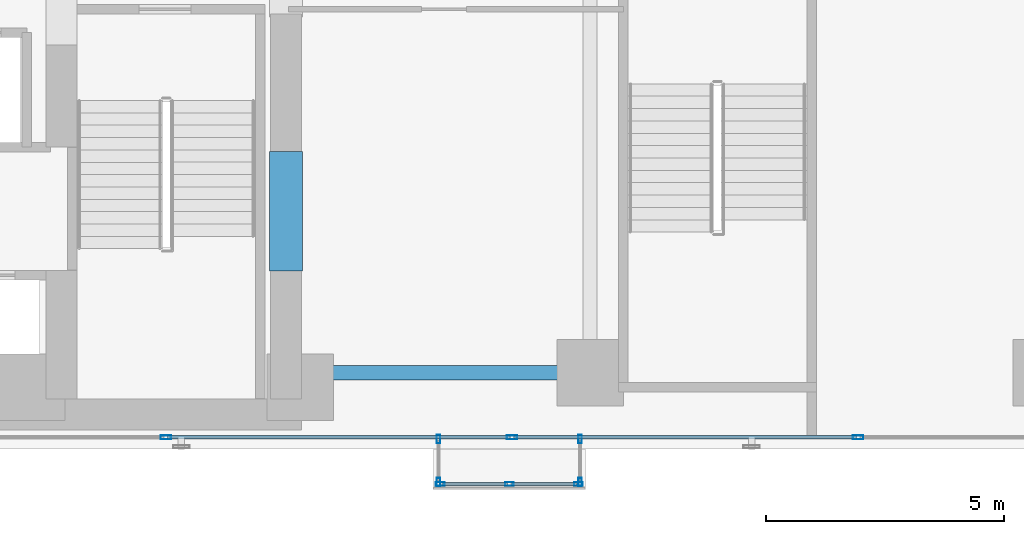
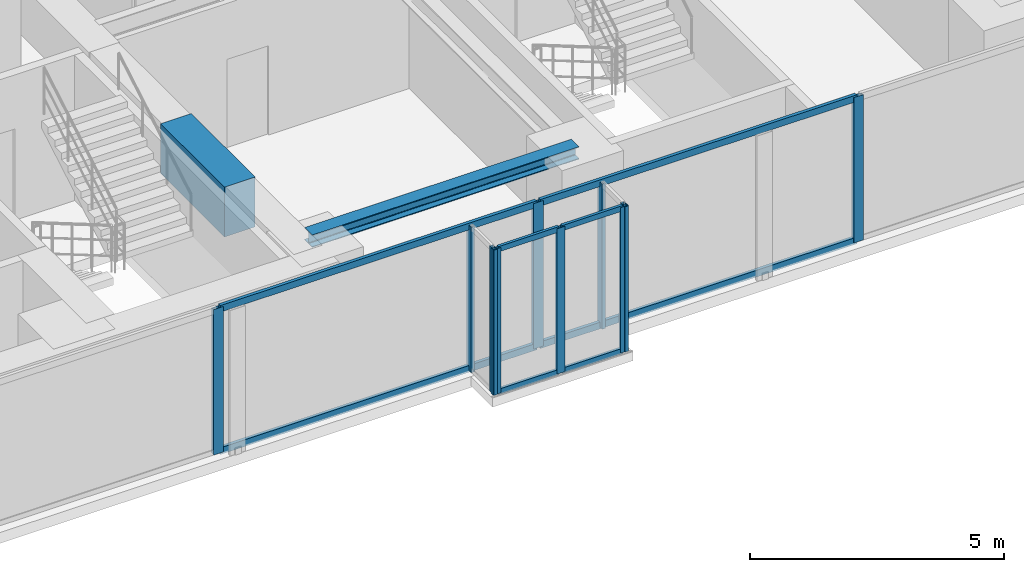
# One storey, part 4 of 25: 18 members, 2 beams, 4 elements without a shape of their own.
"""IFC4 building model written with IfcOpenShell, lengths in metres."""

from ifc_helpers import new_model, si_unit, direction, frame, origin, origin_with_axes, origin_2d, place, context, subcontext, project, spatial, rectangle, hollow_rectangle, i_section, extrude, source, transform, mapped, material, layer, layer_set, material_profile, profile_set, type_object, element, aggregate, save


model = new_model("IFC4")

# Units and contexts
model_context = context("Model", 3, precision=1e-05, world=origin(), true_north=direction((0.0, 1.0)))
body_context = subcontext(model_context, "Body", "Model", "MODEL_VIEW")
ifc_project = project(units=[si_unit("LENGTHUNIT", "METRE"), si_unit("AREAUNIT", "SQUARE_METRE"), si_unit("VOLUMEUNIT", "CUBIC_METRE"), si_unit("PLANEANGLEUNIT", "RADIAN"), si_unit("MASSUNIT", "GRAM", prefix="KILO")], contexts=[model_context])

# Site, building, storey
site_placement = place(None, origin())
site = spatial("IfcSite", under=ifc_project, at=site_placement, CompositionType="ELEMENT")
building_placement = place(site_placement, origin())
building = spatial("IfcBuilding", under=site, at=building_placement, Name="Kolvaren Waterfront Exchange", CompositionType="ELEMENT")
storey_placement = place(building_placement, frame((0.0, 0.0, 106.89990234375)))
storey = spatial("IfcBuildingStorey", under=building, at=storey_placement, Name="L27", CompositionType="ELEMENT", Elevation=106.89990234375)

# Beams
ifc_material_1 = material(Name="Steel S355", Category="steel")
ifc_material_profile_1 = material_profile(ifc_material_1, i_section(OverallWidth=0.300048828125, OverallDepth=0.300048828125, WebThickness=0.010986328125, FlangeThickness=0.01904296875, FilletRadius=0.027099609375, at=origin_2d()), Name="HEB300")
ifc_profile_set_1 = profile_set([ifc_material_profile_1], Name="Steel S355")
beam_type_1 = type_object("IfcBeamType", Name="STR-BM-HEB300", PredefinedType="SPANDREL", material=ifc_profile_set_1)
beam_1_placement = place(storey_placement, frame((21.125, 5.199951171875, 3.35009765625), z_axis=(1.0, 0.0, 0.0), x_axis=(0.0, 1.0, 0.0)))
element("IfcBeam", 1, at=beam_1_placement, inside=storey, type_object=beam_type_1, Name="L27 east-arm spandrel S1", PredefinedType="SPANDREL", context=body_context, shape_type="SweptSolid", body=[
    extrude(i_section(OverallWidth=0.300048828125, OverallDepth=0.300048828125, WebThickness=0.010986328125, FlangeThickness=0.01904296875, FilletRadius=0.027099609375, at=origin_2d()), origin(), (0.0, 0.0, 1.0), 6.074951171875),
])
ifc_material_2 = material(Name="Concrete C70/85", Category="concrete")
ifc_material_profile_2 = material_profile(ifc_material_2, rectangle(XDim=0.699951171875, YDim=1.199951171875, at=origin_2d()), Name="RC-CB-1200x700")
ifc_profile_set_2 = profile_set([ifc_material_profile_2], Name="Concrete C70/85")
beam_type_2 = type_object("IfcBeamType", Name="STR-CB-1200", PredefinedType="SPANDREL", material=ifc_profile_set_2)
beam_2_placement = place(storey_placement, frame((20.800048828125, 7.340087890625, 2.900146484375), z_axis=(0.0, 1.0, 0.0), x_axis=(-1.0, 0.0, 0.0)))
element("IfcBeam", 2, at=beam_2_placement, inside=storey, type_object=beam_type_2, Name="L27 core coupling beam 1", PredefinedType="SPANDREL", context=body_context, shape_type="SweptSolid", body=[
    extrude(rectangle(XDim=0.699951171875, YDim=1.199951171875, at=origin_2d()), origin(), (0.0, 0.0, 1.0), 2.52001953125),
])

# Curtain wall, members
ifc_material_3 = material(Name="Anodised bronze aluminium 6063-T6", Category="aluminium")
ifc_layer_1 = layer(ifc_material_3, 0.219970703125, Name="Anodised bronze aluminium 6063-T6")
ifc_layer_set_1 = layer_set([ifc_layer_1], Name="Anodised bronze aluminium 6063-T6")
curtain_wall_type_1 = type_object("IfcCurtainWallType", Name="ARC-CW-SYS3", PredefinedType="USERDEFINED", material=ifc_layer_set_1)
curtain_wall_1_placement = place(storey_placement, origin())
curtain_wall_1 = element("IfcCurtainWall", 3, at=curtain_wall_1_placement, inside=storey, type_object=curtain_wall_type_1, Name="L27 stick curtain wall CW3 (CW-L27-BOX)", ObjectType="STICK CURTAIN WALL", PredefinedType="USERDEFINED")
ifc_material_profile_3 = material_profile(ifc_material_3, hollow_rectangle(XDim=0.06494140625, YDim=0.1298828125, WallThickness=0.00390625, at=origin_2d()), Name="ALU-TRN-130x65x4")
ifc_profile_set_3 = profile_set([ifc_material_profile_3], Name="Anodised bronze aluminium 6063-T6")
member_type_1 = type_object("IfcMemberType", Name="ARC-CWT-130", PredefinedType="USERDEFINED", material=ifc_profile_set_3)
shared_shape_1 = source(origin_with_axes(), body_context, "Body", "SweptSolid", [
    extrude(hollow_rectangle(XDim=0.06494140625, YDim=0.1298828125, WallThickness=0.00390625, at=origin_2d()), origin(), (0.0, 0.0, 1.0), 1.37744140625),
])
member_1_placement = place(storey_placement, frame((24.0849609375, 2.860107421875, 0.03271484375), z_axis=(1.0, 0.0, 0.0), x_axis=(0.0, 1.0, 0.0)))
member_1 = element("IfcMember", 4, at=member_1_placement, type_object=member_type_1, Name="CW3 transom 1.1", ObjectType="TRANSOM", PredefinedType="USERDEFINED", context=body_context, shape_type="MappedRepresentation", body=[
    mapped(shared_shape_1, transform((0.0, 0.0, 0.0), x_axis=(1.0, 0.0, 0.0), y_axis=(0.0, 1.0, 0.0), z_axis=(0.0, 0.0, 1.0), scale=1.0)),
])
member_2_placement = place(storey_placement, frame((24.0849609375, 2.860107421875, 3.467529296875), z_axis=(1.0, 0.0, 0.0), x_axis=(0.0, 1.0, 0.0)))
member_2 = element("IfcMember", 5, at=member_2_placement, type_object=member_type_1, Name="CW3 transom 1.2", ObjectType="TRANSOM", PredefinedType="USERDEFINED", context=body_context, shape_type="MappedRepresentation", body=[
    mapped(shared_shape_1, transform((0.0, 0.0, 0.0), x_axis=(1.0, 0.0, 0.0), y_axis=(0.0, 1.0, 0.0), z_axis=(0.0, 0.0, 1.0), scale=1.0)),
])
member_3_placement = place(storey_placement, frame((25.53759765625, 2.860107421875, 0.03271484375), z_axis=(1.0, 0.0, 0.0), x_axis=(0.0, 1.0, 0.0)))
member_3 = element("IfcMember", 6, at=member_3_placement, type_object=member_type_1, Name="CW3 transom 2.1", ObjectType="TRANSOM", PredefinedType="USERDEFINED", context=body_context, shape_type="MappedRepresentation", body=[
    mapped(shared_shape_1, transform((0.0, 0.0, 0.0), x_axis=(1.0, 0.0, 0.0), y_axis=(0.0, 1.0, 0.0), z_axis=(0.0, 0.0, 1.0), scale=1.0)),
])
member_4_placement = place(storey_placement, frame((25.53759765625, 2.860107421875, 3.467529296875), z_axis=(1.0, 0.0, 0.0), x_axis=(0.0, 1.0, 0.0)))
member_4 = element("IfcMember", 7, at=member_4_placement, type_object=member_type_1, Name="CW3 transom 2.2", ObjectType="TRANSOM", PredefinedType="USERDEFINED", context=body_context, shape_type="MappedRepresentation", body=[
    mapped(shared_shape_1, transform((0.0, 0.0, 0.0), x_axis=(1.0, 0.0, 0.0), y_axis=(0.0, 1.0, 0.0), z_axis=(0.0, 0.0, 1.0), scale=1.0)),
])

ifc_layer_2 = layer(ifc_material_3, 0.219970703125, Name="Anodised bronze aluminium 6063-T6")
ifc_layer_set_2 = layer_set([ifc_layer_2], Name="Anodised bronze aluminium 6063-T6")
curtain_wall_type_2 = type_object("IfcCurtainWallType", Name="ARC-CW-SYS1", PredefinedType="USERDEFINED", material=ifc_layer_set_2)
curtain_wall_2_placement = place(storey_placement, origin())
curtain_wall_2 = element("IfcCurtainWall", 8, at=curtain_wall_2_placement, inside=storey, type_object=curtain_wall_type_2, Name="L27 stick curtain wall CW1 (CW-L27-S)", ObjectType="STICK CURTAIN WALL", PredefinedType="USERDEFINED")
ifc_material_4 = material(Name="Anodised aluminium 6063-T6", Category="aluminium")
ifc_material_profile_4 = material_profile(ifc_material_4, hollow_rectangle(XDim=0.074951171875, YDim=0.159912109375, WallThickness=0.00439453125, at=origin_2d()), Name="ALU-TRN-160x75x4.5")
ifc_profile_set_4 = profile_set([ifc_material_profile_4], Name="Anodised aluminium 6063-T6")
member_type_2 = type_object("IfcMemberType", Name="ARC-CWT-160", PredefinedType="USERDEFINED", material=ifc_profile_set_4)
shared_shape_2 = source(origin_with_axes(), body_context, "Body", "SweptSolid", [
    extrude(hollow_rectangle(XDim=0.074951171875, YDim=0.159912109375, WallThickness=0.00439453125, at=origin_2d()), origin(), (0.0, 0.0, 1.0), 7.205810546875),
])
member_5_placement = place(storey_placement, frame((25.59716796875, 3.840087890625, 0.03759765625), z_axis=(1.0, 0.0, 0.0), x_axis=(0.0, 1.0, 0.0)))
member_5 = element("IfcMember", 9, at=member_5_placement, type_object=member_type_2, Name="CW1 transom 4.1", ObjectType="TRANSOM", PredefinedType="USERDEFINED", context=body_context, shape_type="MappedRepresentation", body=[
    mapped(shared_shape_2, transform((0.0, 0.0, 0.0), x_axis=(1.0, 0.0, 0.0), y_axis=(0.0, 1.0, 0.0), z_axis=(0.0, 0.0, 1.0), scale=1.0)),
])
member_6_placement = place(storey_placement, frame((25.59716796875, 3.840087890625, 3.462646484375), z_axis=(1.0, 0.0, 0.0), x_axis=(0.0, 1.0, 0.0)))
member_6 = element("IfcMember", 10, at=member_6_placement, type_object=member_type_2, Name="CW1 transom 4.2", ObjectType="TRANSOM", PredefinedType="USERDEFINED", context=body_context, shape_type="MappedRepresentation", body=[
    mapped(shared_shape_2, transform((0.0, 0.0, 0.0), x_axis=(1.0, 0.0, 0.0), y_axis=(0.0, 1.0, 0.0), z_axis=(0.0, 0.0, 1.0), scale=1.0)),
])
shared_shape_3 = source(origin_with_axes(), body_context, "Body", "SweptSolid", [
    extrude(hollow_rectangle(XDim=0.074951171875, YDim=0.159912109375, WallThickness=0.00439453125, at=origin_2d()), origin(), (0.0, 0.0, 1.0), 7.20556640625),
])
member_7_placement = place(storey_placement, frame((18.3115234375, 3.840087890625, 0.03759765625), z_axis=(1.0, 0.0, 0.0), x_axis=(0.0, 1.0, 0.0)))
member_7 = element("IfcMember", 11, at=member_7_placement, type_object=member_type_2, Name="CW1 transom 3.1", ObjectType="TRANSOM", PredefinedType="USERDEFINED", context=body_context, shape_type="MappedRepresentation", body=[
    mapped(shared_shape_3, transform((0.0, 0.0, 0.0), x_axis=(1.0, 0.0, 0.0), y_axis=(0.0, 1.0, 0.0), z_axis=(0.0, 0.0, 1.0), scale=1.0)),
])
member_8_placement = place(storey_placement, frame((18.3115234375, 3.840087890625, 3.462646484375), z_axis=(1.0, 0.0, 0.0), x_axis=(0.0, 1.0, 0.0)))
member_8 = element("IfcMember", 12, at=member_8_placement, type_object=member_type_2, Name="CW1 transom 3.2", ObjectType="TRANSOM", PredefinedType="USERDEFINED", context=body_context, shape_type="MappedRepresentation", body=[
    mapped(shared_shape_3, transform((0.0, 0.0, 0.0), x_axis=(1.0, 0.0, 0.0), y_axis=(0.0, 1.0, 0.0), z_axis=(0.0, 0.0, 1.0), scale=1.0)),
])

curtain_wall_3_placement = place(storey_placement, origin())
curtain_wall_3 = element("IfcCurtainWall", 13, at=curtain_wall_3_placement, inside=storey, type_object=curtain_wall_type_1, Name="L27 stick curtain wall CW3 (CW-L27-BOX-W)", ObjectType="STICK CURTAIN WALL", PredefinedType="USERDEFINED")
ifc_material_profile_5 = material_profile(ifc_material_3, hollow_rectangle(XDim=0.074951171875, YDim=0.179931640625, WallThickness=0.00439453125, at=origin_2d()), Name="ALU-MUL-180x75x4.5")
ifc_profile_set_5 = profile_set([ifc_material_profile_5], Name="Anodised bronze aluminium 6063-T6")
member_type_3 = type_object("IfcMemberType", Name="ARC-CWM-180", PredefinedType="MULLION", material=ifc_profile_set_5)
shared_shape_4 = source(origin_with_axes(), body_context, "Body", "SweptSolid", [
    extrude(hollow_rectangle(XDim=0.074951171875, YDim=0.179931640625, WallThickness=0.00439453125, at=origin_2d()), origin(), (0.0, 0.0, 1.0), 3.5),
])
member_9_placement = place(storey_placement, frame((24.010009765625, 3.802490234375, 0.0), z_axis=(0.0, 0.0, 1.0), x_axis=(1.0, 0.0, 0.0)))
member_9 = element("IfcMember", 14, at=member_9_placement, type_object=member_type_3, Name="CW3 mullion 1", PredefinedType="MULLION", context=body_context, shape_type="MappedRepresentation", body=[
    mapped(shared_shape_4, transform((0.0, 0.0, 0.0), x_axis=(1.0, 0.0, 0.0), y_axis=(0.0, 1.0, 0.0), z_axis=(0.0, 0.0, 1.0), scale=1.0)),
])
member_10_placement = place(storey_placement, frame((24.010009765625, 2.8974609375, 0.0), z_axis=(0.0, 0.0, 1.0), x_axis=(1.0, 0.0, 0.0)))
member_10 = element("IfcMember", 15, at=member_10_placement, type_object=member_type_3, Name="CW3 mullion 2", PredefinedType="MULLION", context=body_context, shape_type="MappedRepresentation", body=[
    mapped(shared_shape_4, transform((0.0, 0.0, 0.0), x_axis=(1.0, 0.0, 0.0), y_axis=(0.0, 1.0, 0.0), z_axis=(0.0, 0.0, 1.0), scale=1.0)),
])
aggregate(curtain_wall_3, [member_9, member_10])

# Member
member_11_placement = place(storey_placement, frame((24.047607421875, 2.860107421875, 0.0), z_axis=(0.0, 0.0, 1.0), x_axis=(0.0, 1.0, 0.0)))
member_11 = element("IfcMember", 16, at=member_11_placement, type_object=member_type_3, Name="CW3 mullion 1", PredefinedType="MULLION", context=body_context, shape_type="MappedRepresentation", body=[
    mapped(shared_shape_4, transform((0.0, 0.0, 0.0), x_axis=(1.0, 0.0, 0.0), y_axis=(0.0, 1.0, 0.0), z_axis=(0.0, 0.0, 1.0), scale=1.0)),
])

member_12_placement = place(storey_placement, frame((25.5, 2.860107421875, 0.0), z_axis=(0.0, 0.0, 1.0), x_axis=(0.0, 1.0, 0.0)))
member_12 = element("IfcMember", 17, at=member_12_placement, type_object=member_type_3, Name="CW3 mullion 2", PredefinedType="MULLION", context=body_context, shape_type="MappedRepresentation", body=[
    mapped(shared_shape_4, transform((0.0, 0.0, 0.0), x_axis=(1.0, 0.0, 0.0), y_axis=(0.0, 1.0, 0.0), z_axis=(0.0, 0.0, 1.0), scale=1.0)),
])

member_13_placement = place(storey_placement, frame((26.952392578125, 2.860107421875, 0.0), z_axis=(0.0, 0.0, 1.0), x_axis=(0.0, 1.0, 0.0)))
member_13 = element("IfcMember", 18, at=member_13_placement, type_object=member_type_3, Name="CW3 mullion 3", PredefinedType="MULLION", context=body_context, shape_type="MappedRepresentation", body=[
    mapped(shared_shape_4, transform((0.0, 0.0, 0.0), x_axis=(1.0, 0.0, 0.0), y_axis=(0.0, 1.0, 0.0), z_axis=(0.0, 0.0, 1.0), scale=1.0)),
])

aggregate(curtain_wall_1, [member_11, member_12, member_13, member_1, member_2, member_3, member_4])

# Curtain wall, members
curtain_wall_4_placement = place(storey_placement, origin())
curtain_wall_4 = element("IfcCurtainWall", 19, at=curtain_wall_4_placement, inside=storey, type_object=curtain_wall_type_1, Name="L27 stick curtain wall CW3 (CW-L27-BOX-E)", ObjectType="STICK CURTAIN WALL", PredefinedType="USERDEFINED")
member_14_placement = place(storey_placement, frame((26.989990234375, 2.8974609375, 0.0), z_axis=(0.0, 0.0, 1.0), x_axis=(-1.0, 0.0, 0.0)))
member_14 = element("IfcMember", 20, at=member_14_placement, type_object=member_type_3, Name="CW3 mullion 1", PredefinedType="MULLION", context=body_context, shape_type="MappedRepresentation", body=[
    mapped(shared_shape_4, transform((0.0, 0.0, 0.0), x_axis=(1.0, 0.0, 0.0), y_axis=(0.0, 1.0, 0.0), z_axis=(0.0, 0.0, 1.0), scale=1.0)),
])
member_15_placement = place(storey_placement, frame((26.989990234375, 3.802490234375, 0.0), z_axis=(0.0, 0.0, 1.0), x_axis=(-1.0, 0.0, 0.0)))
member_15 = element("IfcMember", 21, at=member_15_placement, type_object=member_type_3, Name="CW3 mullion 2", PredefinedType="MULLION", context=body_context, shape_type="MappedRepresentation", body=[
    mapped(shared_shape_4, transform((0.0, 0.0, 0.0), x_axis=(1.0, 0.0, 0.0), y_axis=(0.0, 1.0, 0.0), z_axis=(0.0, 0.0, 1.0), scale=1.0)),
])
aggregate(curtain_wall_4, [member_14, member_15])

# Member
ifc_material_profile_6 = material_profile(ifc_material_4, hollow_rectangle(XDim=0.080078125, YDim=0.219970703125, WallThickness=0.0048828125, at=origin_2d()), Name="ALU-MUL-220x80x5")
ifc_profile_set_6 = profile_set([ifc_material_profile_6], Name="Anodised aluminium 6063-T6")
member_type_4 = type_object("IfcMemberType", Name="ARC-CWM-220", PredefinedType="MULLION", material=ifc_profile_set_6)
shared_shape_5 = source(origin_with_axes(), body_context, "Body", "SweptSolid", [
    extrude(hollow_rectangle(XDim=0.080078125, YDim=0.219970703125, WallThickness=0.0048828125, at=origin_2d()), origin(), (0.0, 0.0, 1.0), 3.5),
])
member_16_placement = place(storey_placement, frame((18.271484375, 3.840087890625, 0.0), z_axis=(0.0, 0.0, 1.0), x_axis=(0.0, 1.0, 0.0)))
member_16 = element("IfcMember", 22, at=member_16_placement, type_object=member_type_4, Name="CW1 mullion 3", PredefinedType="MULLION", context=body_context, shape_type="MappedRepresentation", body=[
    mapped(shared_shape_5, transform((0.0, 0.0, 0.0), x_axis=(1.0, 0.0, 0.0), y_axis=(0.0, 1.0, 0.0), z_axis=(0.0, 0.0, 1.0), scale=1.0)),
])

member_17_placement = place(storey_placement, frame((25.55712890625, 3.840087890625, 0.0), z_axis=(0.0, 0.0, 1.0), x_axis=(0.0, 1.0, 0.0)))
member_17 = element("IfcMember", 23, at=member_17_placement, type_object=member_type_4, Name="CW1 mullion 4", PredefinedType="MULLION", context=body_context, shape_type="MappedRepresentation", body=[
    mapped(shared_shape_5, transform((0.0, 0.0, 0.0), x_axis=(1.0, 0.0, 0.0), y_axis=(0.0, 1.0, 0.0), z_axis=(0.0, 0.0, 1.0), scale=1.0)),
])

member_18_placement = place(storey_placement, frame((32.8427734375, 3.840087890625, 0.0), z_axis=(0.0, 0.0, 1.0), x_axis=(0.0, 1.0, 0.0)))
member_18 = element("IfcMember", 24, at=member_18_placement, type_object=member_type_4, Name="CW1 mullion 5", PredefinedType="MULLION", context=body_context, shape_type="MappedRepresentation", body=[
    mapped(shared_shape_5, transform((0.0, 0.0, 0.0), x_axis=(1.0, 0.0, 0.0), y_axis=(0.0, 1.0, 0.0), z_axis=(0.0, 0.0, 1.0), scale=1.0)),
])

aggregate(curtain_wall_2, [member_16, member_17, member_18, member_7, member_8, member_5, member_6])

save(model, "model.ifc")
